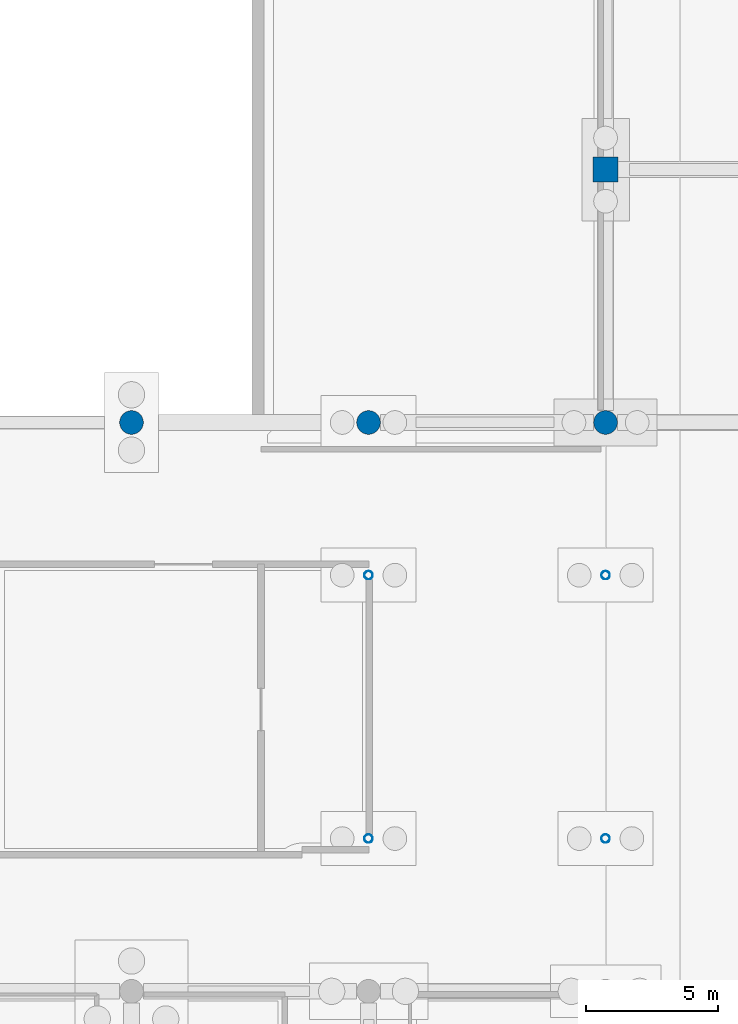
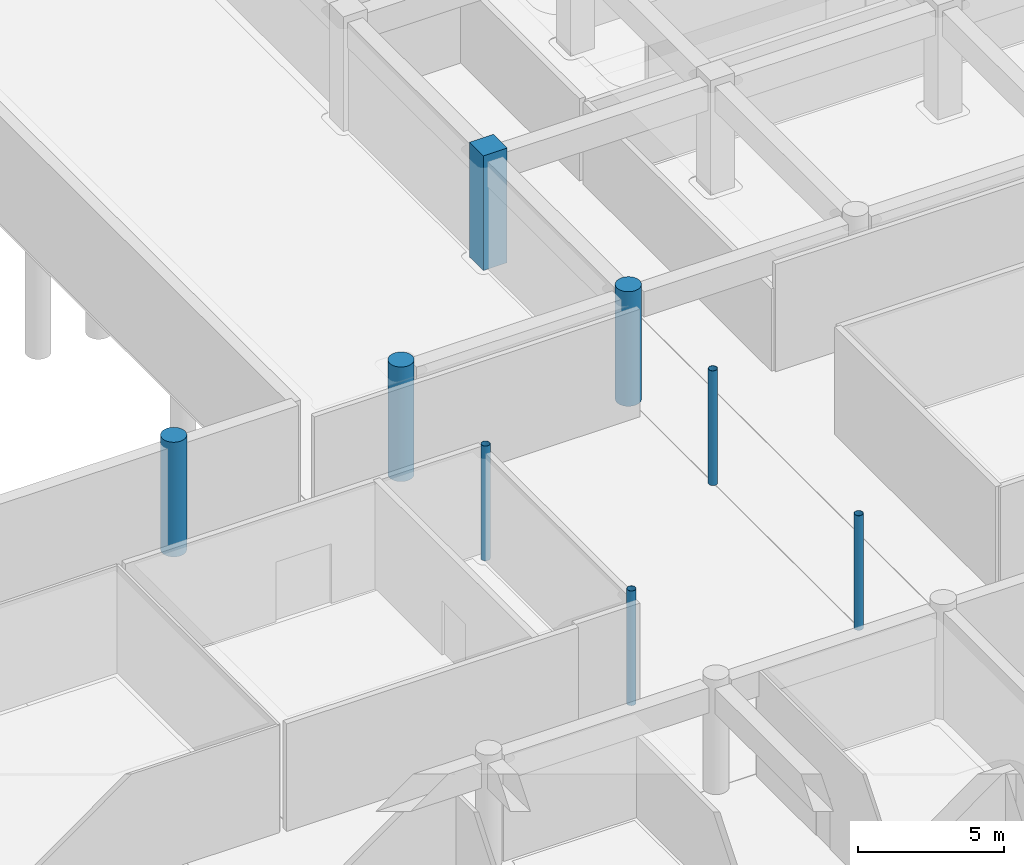
# One storey, part 9 of 47: 8 columns.
"""IFC4 building model written with IfcOpenShell, lengths in metres."""

from ifc_helpers import new_model, si_unit, direction, frame, origin, origin_2d, place, context, subcontext, project, spatial, rectangle, circle, hollow_circle, extrude, material, material_profile, profile_set, type_object, element, save


model = new_model("IFC4")

# Units and contexts
model_context = context("Model", 3, precision=1e-05, world=origin(), true_north=direction((0.0, 1.0)))
body_context = subcontext(model_context, "Body", "Model", "MODEL_VIEW")
ifc_project = project(units=[si_unit("LENGTHUNIT", "METRE"), si_unit("AREAUNIT", "SQUARE_METRE"), si_unit("VOLUMEUNIT", "CUBIC_METRE"), si_unit("PLANEANGLEUNIT", "RADIAN"), si_unit("MASSUNIT", "GRAM", prefix="KILO")], contexts=[model_context])

# Site, building, storey
site_placement = place(None, origin())
site = spatial("IfcSite", under=ifc_project, at=site_placement, CompositionType="ELEMENT")
building_placement = place(site_placement, origin())
building = spatial("IfcBuilding", under=site, at=building_placement, Name="Cendralis Terraced Arcade", CompositionType="ELEMENT")
storey_placement = place(building_placement, frame((0.0, 0.0, -4.800048828125)))
storey = spatial("IfcBuildingStorey", under=building, at=storey_placement, Name="B1", CompositionType="ELEMENT", Elevation=-4.800048828125)

# Columns
ifc_material_1 = material(Name="Concrete f'c 42 MPa", Category="concrete")
ifc_material_profile_1 = material_profile(ifc_material_1, rectangle(XDim=0.949951171875, YDim=0.949951171875, at=origin_2d()), Name="RC-COL-950x950", Category="LoadBearing")
ifc_profile_set_1 = profile_set([ifc_material_profile_1], Name="Concrete f'c 42 MPa")
column_type_1 = type_object("IfcColumnType", Name="COL-950", PredefinedType="COLUMN", material=ifc_profile_set_1)
column_placement = place(storey_placement, frame((121.199951171875, 69.60009765625, 0.0), z_axis=(0.0, 0.0, 1.0), x_axis=(1.0, 0.0, 0.0)))
element("IfcColumn", 1, at=column_placement, inside=storey, type_object=column_type_1, Name="Reinforced Concrete Column 14-H (B1)", PredefinedType="COLUMN", context=body_context, shape_type="SweptSolid", body=[
    extrude(rectangle(XDim=0.949951171875, YDim=0.949951171875, at=origin_2d()), origin(), (0.0, 0.0, 1.0), 4.800048828125),
])
ifc_material_profile_2 = material_profile(ifc_material_1, circle(Radius=0.449951171875, at=origin_2d()), Name="RC-COL-D900", Category="LoadBearing")
ifc_profile_set_2 = profile_set([ifc_material_profile_2], Name="Concrete f'c 42 MPa")
column_type_2 = type_object("IfcColumnType", Name="COL-D900", PredefinedType="COLUMN", material=ifc_profile_set_2)
for number, where, z_axis, x_axis, name in (
    (2, (103.199951171875, 60.0, 0.0), (0.0, 0.0, 1.0), (1.0, 0.0, 0.0), "Reinforced Concrete Column 12-G (B1)"),
    (3, (112.199951171875, 60.0, 0.0), (0.0, 0.0, 1.0), (1.0, 0.0, 0.0), "Reinforced Concrete Column 13-G (B1)"),
    (4, (121.199951171875, 60.0, 0.0), (0.0, 0.0, 1.0), (1.0, 0.0, 0.0), "Reinforced Concrete Column 14-G (B1)"),
):
    element("IfcColumn", number, at=place(storey_placement, frame(where, z_axis=z_axis, x_axis=x_axis)), inside=storey, type_object=column_type_2, Name=name, PredefinedType="COLUMN", context=body_context, shape_type="SweptSolid", body=[
        extrude(circle(Radius=0.449951171875, at=origin_2d()), origin(), (0.0, 0.0, 1.0), 4.800048828125),
    ])
ifc_material_2 = material(Name="Steel ASTM A572 Grade 50", Category="steel")
ifc_material_profile_3 = material_profile(ifc_material_2, hollow_circle(Radius=0.162109375, WallThickness=0.010009765625, at=origin_2d()), Name="CHS324X10", Category="LoadBearing")
ifc_profile_set_3 = profile_set([ifc_material_profile_3], Name="Steel ASTM A572 Grade 50")
column_type_3 = type_object("IfcColumnType", Name="COL-STL-CHS324", PredefinedType="COLUMN", material=ifc_profile_set_3)
for number, where, z_axis, x_axis, name in (
    (5, (112.199951171875, 44.199951171875, 0.0), (0.0, 0.0, 1.0), (1.0, 0.0, 0.0), "Arcade Bridge Steel Tubular Column COL-BRG-B1-112-44"),
    (6, (121.199951171875, 44.199951171875, 0.0), (0.0, 0.0, 1.0), (1.0, 0.0, 0.0), "Arcade Bridge Steel Tubular Column COL-BRG-B1-121-44"),
    (7, (112.199951171875, 54.199951171875, 0.0), (0.0, 0.0, 1.0), (1.0, 0.0, 0.0), "Arcade Bridge Steel Tubular Column COL-BRG-B1-112-54"),
    (8, (121.199951171875, 54.199951171875, 0.0), (0.0, 0.0, 1.0), (1.0, 0.0, 0.0), "Arcade Bridge Steel Tubular Column COL-BRG-B1-121-54"),
):
    element("IfcColumn", number, at=place(storey_placement, frame(where, z_axis=z_axis, x_axis=x_axis)), inside=storey, type_object=column_type_3, Name=name, PredefinedType="COLUMN", context=body_context, shape_type="SweptSolid", body=[
        extrude(hollow_circle(Radius=0.162109375, WallThickness=0.010009765625, at=origin_2d()), origin(), (0.0, 0.0, 1.0), 4.800048828125),
    ])

save(model, "model.ifc")
